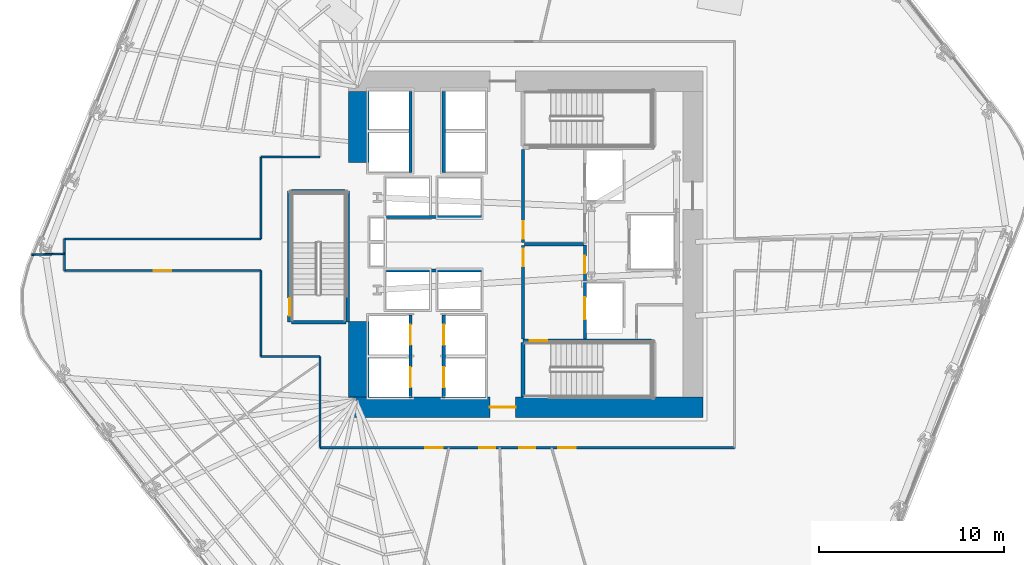
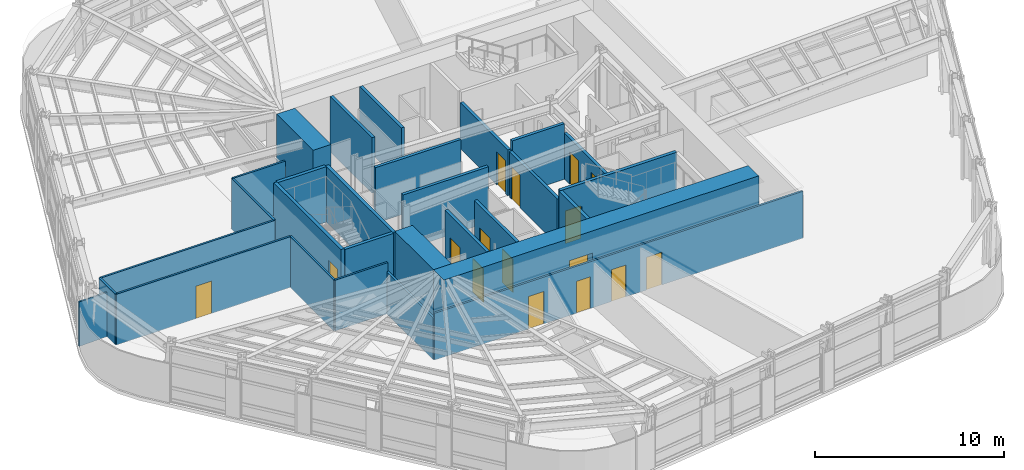
# One storey, part 8 of 16: 29 walls, 16 doors, 16 openings.
"""IFC4 building model written with IfcOpenShell, lengths in metres."""

from ifc_helpers import new_model, si_unit, direction, frame, frame_2d, origin, place, context, subcontext, project, spatial, rectangle, extrude, material, layer, layer_set, type_object, element, fill, save


model = new_model("IFC4")

# Units and contexts
model_context = context("Model", 3, precision=1e-05, world=origin(), true_north=direction((0.0, 1.0)))
body_context = subcontext(model_context, "Body", "Model", "MODEL_VIEW")
ifc_project = project(units=[si_unit("LENGTHUNIT", "METRE"), si_unit("AREAUNIT", "SQUARE_METRE"), si_unit("VOLUMEUNIT", "CUBIC_METRE"), si_unit("PLANEANGLEUNIT", "RADIAN"), si_unit("MASSUNIT", "GRAM", prefix="KILO")], contexts=[model_context])

# Site, building, storey
site_placement = place(None, origin())
site = spatial("IfcSite", under=ifc_project, at=site_placement, CompositionType="ELEMENT")
building_placement = place(site_placement, origin())
building = spatial("IfcBuilding", under=site, at=building_placement, Name="Valkerne Bourse Tower", CompositionType="ELEMENT")
storey_placement = place(building_placement, frame((0.0, 0.0, 58.199951171875)))
storey = spatial("IfcBuildingStorey", under=building, at=storey_placement, Name="L14", CompositionType="ELEMENT", Elevation=58.199951171875)

# Wall, opening, door
ifc_material_1 = material(Name="Concrete C70/85", Category="concrete")
ifc_layer_1 = layer(ifc_material_1, 1.10009765625)
ifc_layer_set_1 = layer_set([ifc_layer_1], Name="Concrete C70/85")
wall_type_1 = type_object("IfcWallType", Name="W-CORE-1100", PredefinedType="SHEAR", material=ifc_layer_set_1)
wall_1_placement = place(storey_placement, frame((37.199951171875, 18.050048828125, 0.0), z_axis=(0.0, 0.0, 1.0), x_axis=(1.0, 0.0, 0.0)))
wall_1 = element("IfcWall", 1, at=wall_1_placement, inside=storey, type_object=wall_type_1, Name="L14 Core Shear Wall SOUTH", PredefinedType="SHEAR", context=body_context, shape_type="SweptSolid", body=[
    extrude(rectangle(XDim=19.199951171875, YDim=1.10009765625, at=frame_2d((9.60009765625, 0.0))), origin(), (0.0, 0.0, 1.0), 3.580078125),
])
opening_1_placement = place(wall_1_placement, frame((7.64990234375, 0.0, 0.0)))
opening_1 = element("IfcOpeningElement", 2, at=opening_1_placement, cuts=wall_1, Name="Opening D-PL-1400", PredefinedType="OPENING", context=body_context, shape_type="SweptSolid", body=[
    extrude(rectangle(XDim=1.39990234375, YDim=2.14990234375, at=frame_2d((0.699951171875, 1.074951171875))), frame((0.0, 0.56005859375, 0.0), z_axis=(0.0, -1.0, 0.0), x_axis=(1.0, 0.0, 0.0)), (0.0, 0.0, 1.0), 1.1201171875),
])
ifc_material_2 = material(Name="Galvanised Painted Steel", Category="steel")
door_type_1 = type_object("IfcDoorType", Name="DR-PLT-1400", OperationType="DOUBLE_DOOR_SINGLE_SWING", PredefinedType="DOOR", material=ifc_material_2)
door_1_placement = place(opening_1_placement, origin())
door_1 = element("IfcDoor", 3, at=door_1_placement, inside=storey, type_object=door_type_1, Name="L14 South Passenger Lift Hall Fire Door", OperationType="DOUBLE_DOOR_SINGLE_SWING", OverallHeight=2.14990234375, OverallWidth=1.39990234375, PredefinedType="DOOR", context=body_context, shape_type="SweptSolid", body=[
    extrude(rectangle(XDim=1.39990234375, YDim=2.14990234375, at=frame_2d((0.699951171875, 1.074951171875))), frame((0.0, 0.02490234375, 0.0), z_axis=(0.0, -1.0, 0.0), x_axis=(1.0, 0.0, 0.0)), (0.0, 0.0, 1.0), 0.050048828125),
])
fill(opening_1, door_1)

# Walls
wall_2_placement = place(storey_placement, frame((37.75, 18.60009765625, 0.0), z_axis=(0.0, 0.0, 1.0), x_axis=(0.0, 1.0, 0.0)))
element("IfcWall", 4, at=wall_2_placement, inside=storey, type_object=wall_type_1, Name="L14 Core Shear Wall WEST-S", PredefinedType="SHEAR", context=body_context, shape_type="SweptSolid", body=[
    extrude(rectangle(XDim=4.099853515625, YDim=1.10009765625, at=frame_2d((2.0498046875, 0.0))), origin(), (0.0, 0.0, 1.0), 3.580078125),
])
wall_3_placement = place(storey_placement, frame((37.75, 31.300048828125, 0.0), z_axis=(0.0, 0.0, 1.0), x_axis=(0.0, 1.0, 0.0)))
element("IfcWall", 5, at=wall_3_placement, inside=storey, type_object=wall_type_1, Name="L14 Core Shear Wall WEST-N", PredefinedType="SHEAR", context=body_context, shape_type="SweptSolid", body=[
    extrude(rectangle(XDim=3.849853515625, YDim=1.10009765625, at=frame_2d((1.9248046875, 0.0))), origin(), (0.0, 0.0, 1.0), 3.580078125),
])

# Wall, openings, doors
ifc_material_3 = material(Name="Gypsum Board Steel-Stud Partition", Category="steel")
ifc_layer_2 = layer(ifc_material_3, 0.117919921875)
ifc_layer_set_2 = layer_set([ifc_layer_2], Name="Gypsum Board Steel-Stud Partition")
wall_type_2 = type_object("IfcWallType", Name="W-CORR-140", PredefinedType="PARTITIONING", material=ifc_layer_set_2)
wall_4_placement = place(storey_placement, frame((58.10009765625, 15.85009765625, 0.0), z_axis=(0.0, 0.0, 1.0), x_axis=(-1.0, 0.0, 0.0)))
wall_4 = element("IfcWall", 6, at=wall_4_placement, inside=storey, type_object=wall_type_2, Name="L14 Corridor Enclosure Wall", PredefinedType="PARTITIONING", context=body_context, shape_type="SweptSolid", body=[
    extrude(rectangle(XDim=22.4501953125, YDim=0.117919921875, at=frame_2d((11.22509765625, 0.0))), origin(), (0.0, 0.0, 1.0), 3.021484375),
])
opening_2_placement = place(wall_4_placement, frame((10.794921875, 0.0, 0.0)))
opening_2 = element("IfcOpeningElement", 7, at=opening_2_placement, cuts=wall_4, Name="Opening D-WC-900", PredefinedType="OPENING", context=body_context, shape_type="SweptSolid", body=[
    extrude(rectangle(XDim=0.860107421875, YDim=2.050048828125, at=frame_2d((0.43017578125, 1.02490234375))), frame((0.0, 0.06884765625, 0.0), z_axis=(0.0, -1.0, 0.0), x_axis=(1.0, 0.0, 0.0)), (0.0, 0.0, 1.0), 0.137939453125),
])
opening_3_placement = place(wall_4_placement, frame((12.955078125, 0.0, 0.0)))
opening_3 = element("IfcOpeningElement", 8, at=opening_3_placement, cuts=wall_4, Name="Opening D-WC-900", PredefinedType="OPENING", context=body_context, shape_type="SweptSolid", body=[
    extrude(rectangle(XDim=0.860107421875, YDim=2.050048828125, at=frame_2d((0.43017578125, 1.02490234375))), frame((0.0, 0.06884765625, 0.0), z_axis=(0.0, -1.0, 0.0), x_axis=(1.0, 0.0, 0.0)), (0.0, 0.0, 1.0), 0.137939453125),
])
opening_4_placement = place(wall_4_placement, frame((15.7900390625, 0.0, 0.0)))
opening_4 = element("IfcOpeningElement", 9, at=opening_4_placement, cuts=wall_4, Name="Opening D-OF-950", PredefinedType="OPENING", context=body_context, shape_type="SweptSolid", body=[
    extrude(rectangle(XDim=0.949951171875, YDim=2.10009765625, at=frame_2d((0.47509765625, 1.050048828125))), frame((0.0, 0.06884765625, 0.0), z_axis=(0.0, -1.0, 0.0), x_axis=(1.0, 0.0, 0.0)), (0.0, 0.0, 1.0), 0.137939453125),
])
opening_5_placement = place(wall_4_placement, frame((8.590087890625, 0.0, 0.0)))
opening_5 = element("IfcOpeningElement", 10, at=opening_5_placement, cuts=wall_4, Name="Opening D-OF-950", PredefinedType="OPENING", context=body_context, shape_type="SweptSolid", body=[
    extrude(rectangle(XDim=0.949951171875, YDim=2.10009765625, at=frame_2d((0.47509765625, 1.050048828125))), frame((0.0, 0.06884765625, 0.0), z_axis=(0.0, -1.0, 0.0), x_axis=(1.0, 0.0, 0.0)), (0.0, 0.0, 1.0), 0.137939453125),
])
ifc_material_4 = material(Name="Architectural White Oak Timber", Category="wood")
door_type_2 = type_object("IfcDoorType", Name="DR-OFF-950", OperationType="NOTDEFINED", PredefinedType="DOOR", material=ifc_material_4)
door_2_placement = place(opening_4_placement, origin())
door_2 = element("IfcDoor", 11, at=door_2_placement, inside=storey, type_object=door_type_2, Name="L14 L14 Occupational Wellness Clinic 4 Door", OperationType="SINGLE_SWING_LEFT", OverallHeight=2.10009765625, OverallWidth=0.949951171875, PredefinedType="DOOR", context=body_context, shape_type="SweptSolid", body=[
    extrude(rectangle(XDim=0.949951171875, YDim=2.10009765625, at=frame_2d((0.47509765625, 1.050048828125))), frame((0.0, 0.02490234375, 0.0), z_axis=(0.0, -1.0, 0.0), x_axis=(1.0, 0.0, 0.0)), (0.0, 0.0, 1.0), 0.050048828125),
])
fill(opening_4, door_2)
door_3_placement = place(opening_5_placement, origin())
door_3 = element("IfcDoor", 12, at=door_3_placement, inside=storey, type_object=door_type_2, Name="L14 L14 Trading Desk Office 6 Door", OperationType="SINGLE_SWING_LEFT", OverallHeight=2.10009765625, OverallWidth=0.949951171875, PredefinedType="DOOR", context=body_context, shape_type="SweptSolid", body=[
    extrude(rectangle(XDim=0.949951171875, YDim=2.10009765625, at=frame_2d((0.47509765625, 1.050048828125))), frame((0.0, 0.02490234375, 0.0), z_axis=(0.0, -1.0, 0.0), x_axis=(1.0, 0.0, 0.0)), (0.0, 0.0, 1.0), 0.050048828125),
])
fill(opening_5, door_3)
door_type_3 = type_object("IfcDoorType", Name="DR-WC-900", OperationType="NOTDEFINED", PredefinedType="DOOR", material=ifc_material_4)
door_4_placement = place(opening_2_placement, origin())
door_4 = element("IfcDoor", 13, at=door_4_placement, inside=storey, type_object=door_type_3, Name="L14 L14 Men Bathroom WC 1 Door", OperationType="SINGLE_SWING_LEFT", OverallHeight=2.050048828125, OverallWidth=0.860107421875, PredefinedType="DOOR", context=body_context, shape_type="SweptSolid", body=[
    extrude(rectangle(XDim=0.860107421875, YDim=2.050048828125, at=frame_2d((0.43017578125, 1.02490234375))), frame((0.0, 0.02490234375, 0.0), z_axis=(0.0, -1.0, 0.0), x_axis=(1.0, 0.0, 0.0)), (0.0, 0.0, 1.0), 0.050048828125),
])
fill(opening_2, door_4)
door_5_placement = place(opening_3_placement, origin())
door_5 = element("IfcDoor", 14, at=door_5_placement, inside=storey, type_object=door_type_3, Name="L14 L14 Women Restroom & Shower WC 2 Door", OperationType="SINGLE_SWING_LEFT", OverallHeight=2.050048828125, OverallWidth=0.860107421875, PredefinedType="DOOR", context=body_context, shape_type="SweptSolid", body=[
    extrude(rectangle(XDim=0.860107421875, YDim=2.050048828125, at=frame_2d((0.43017578125, 1.02490234375))), frame((0.0, 0.02490234375, 0.0), z_axis=(0.0, -1.0, 0.0), x_axis=(1.0, 0.0, 0.0)), (0.0, 0.0, 1.0), 0.050048828125),
])
fill(opening_3, door_5)

# Walls
wall_5_placement = place(storey_placement, frame((35.64990234375, 15.85009765625, 0.0), z_axis=(0.0, 0.0, 1.0), x_axis=(0.0, 1.0, 0.0)))
element("IfcWall", 15, at=wall_5_placement, inside=storey, type_object=wall_type_2, Name="L14 Corridor Enclosure Wall", PredefinedType="PARTITIONING", context=body_context, shape_type="SweptSolid", body=[
    extrude(rectangle(XDim=4.949951171875, YDim=0.117919921875, at=frame_2d((2.47509765625, 0.0))), origin(), (0.0, 0.0, 1.0), 2.711669921875),
])
wall_6_placement = place(storey_placement, frame((35.64990234375, 20.800048828125, 0.0), z_axis=(0.0, 0.0, 1.0), x_axis=(-1.0, 0.0, 0.0)))
element("IfcWall", 16, at=wall_6_placement, inside=storey, type_object=wall_type_2, Name="L14 Corridor Enclosure Wall", PredefinedType="PARTITIONING", context=body_context, shape_type="SweptSolid", body=[
    extrude(rectangle(XDim=3.199951171875, YDim=0.117919921875, at=frame_2d((1.60009765625, 0.0))), origin(), (0.0, 0.0, 1.0), 3.280029296875),
])
wall_7_placement = place(storey_placement, frame((32.449951171875, 20.800048828125, 0.0), z_axis=(0.0, 0.0, 1.0), x_axis=(0.0, 1.0, 0.0)))
element("IfcWall", 17, at=wall_7_placement, inside=storey, type_object=wall_type_2, Name="L14 Corridor Enclosure Wall", PredefinedType="PARTITIONING", context=body_context, shape_type="SweptSolid", body=[
    extrude(rectangle(XDim=4.64990234375, YDim=0.117919921875, at=frame_2d((2.324951171875, 0.0))), origin(), (0.0, 0.0, 1.0), 3.280029296875),
])

# Wall, opening, door
wall_8_placement = place(storey_placement, frame((32.449951171875, 25.449951171875, 0.0), z_axis=(0.0, 0.0, 1.0), x_axis=(-1.0, 0.0, 0.0)))
wall_8 = element("IfcWall", 18, at=wall_8_placement, inside=storey, type_object=wall_type_2, Name="L14 Corridor Enclosure Wall", PredefinedType="PARTITIONING", context=body_context, shape_type="SweptSolid", body=[
    extrude(rectangle(XDim=10.64990234375, YDim=0.117919921875, at=frame_2d((5.324951171875, 0.0))), origin(), (0.0, 0.0, 1.0), 3.280029296875),
])
opening_6_placement = place(wall_8_placement, frame((4.85009765625, 0.0, 0.0)))
opening_6 = element("IfcOpeningElement", 19, at=opening_6_placement, cuts=wall_8, Name="Opening D-OF-950", PredefinedType="OPENING", context=body_context, shape_type="SweptSolid", body=[
    extrude(rectangle(XDim=0.949951171875, YDim=2.10009765625, at=frame_2d((0.47509765625, 1.050048828125))), frame((0.0, 0.06884765625, 0.0), z_axis=(0.0, -1.0, 0.0), x_axis=(1.0, 0.0, 0.0)), (0.0, 0.0, 1.0), 0.137939453125),
])
door_6_placement = place(opening_6_placement, origin())
door_6 = element("IfcDoor", 20, at=door_6_placement, inside=storey, type_object=door_type_2, Name="L14 L14 Occupational Wellness Clinic 3 Door", OperationType="SINGLE_SWING_LEFT", OverallHeight=2.10009765625, OverallWidth=0.949951171875, PredefinedType="DOOR", context=body_context, shape_type="SweptSolid", body=[
    extrude(rectangle(XDim=0.949951171875, YDim=2.10009765625, at=frame_2d((0.47509765625, 1.050048828125))), frame((0.0, 0.02490234375, 0.0), z_axis=(0.0, -1.0, 0.0), x_axis=(1.0, 0.0, 0.0)), (0.0, 0.0, 1.0), 0.050048828125),
])
fill(opening_6, door_6)

# Walls
wall_9_placement = place(storey_placement, frame((21.800048828125, 25.449951171875, 0.0), z_axis=(0.0, 0.0, 1.0), x_axis=(0.0, 1.0, 0.0)))
element("IfcWall", 21, at=wall_9_placement, inside=storey, type_object=wall_type_2, Name="L14 Corridor Enclosure Wall", PredefinedType="PARTITIONING", context=body_context, shape_type="SweptSolid", body=[
    extrude(rectangle(XDim=1.699951171875, YDim=0.117919921875, at=frame_2d((0.85009765625, 0.0))), origin(), (0.0, 0.0, 1.0), 3.280029296875),
])
wall_10_placement = place(storey_placement, frame((21.800048828125, 27.14990234375, 0.0), z_axis=(0.0, 0.0, 1.0), x_axis=(1.0, 0.0, 0.0)))
element("IfcWall", 22, at=wall_10_placement, inside=storey, type_object=wall_type_2, Name="L14 Corridor Enclosure Wall", PredefinedType="PARTITIONING", context=body_context, shape_type="SweptSolid", body=[
    extrude(rectangle(XDim=10.64990234375, YDim=0.117919921875, at=frame_2d((5.324951171875, 0.0))), origin(), (0.0, 0.0, 1.0), 3.280029296875),
])
wall_11_placement = place(storey_placement, frame((32.449951171875, 27.14990234375, 0.0), z_axis=(0.0, 0.0, 1.0), x_axis=(0.0, 1.0, 0.0)))
element("IfcWall", 23, at=wall_11_placement, inside=storey, type_object=wall_type_2, Name="L14 Corridor Enclosure Wall", PredefinedType="PARTITIONING", context=body_context, shape_type="SweptSolid", body=[
    extrude(rectangle(XDim=4.4501953125, YDim=0.117919921875, at=frame_2d((2.22509765625, 0.0))), origin(), (0.0, 0.0, 1.0), 3.280029296875),
])
wall_12_placement = place(storey_placement, frame((32.449951171875, 31.60009765625, 0.0), z_axis=(0.0, 0.0, 1.0), x_axis=(1.0, 0.0, 0.0)))
element("IfcWall", 24, at=wall_12_placement, inside=storey, type_object=wall_type_2, Name="L14 Corridor Enclosure Wall", PredefinedType="PARTITIONING", context=body_context, shape_type="SweptSolid", body=[
    extrude(rectangle(XDim=3.199951171875, YDim=0.117919921875, at=frame_2d((1.60009765625, 0.0))), origin(), (0.0, 0.0, 1.0), 3.280029296875),
])
ifc_material_5 = material(Name="Gypsum Fire-Rated Shaftwall", Category="gypsum")
ifc_layer_3 = layer(ifc_material_5, 0.179931640625)
ifc_layer_set_3 = layer_set([ifc_layer_3], Name="Gypsum Fire-Rated Shaftwall")
wall_type_3 = type_object("IfcWallType", Name="W-FSAE-180", PredefinedType="PARTITIONING", material=ifc_layer_set_3)
wall_13_placement = place(storey_placement, frame((46.739990234375, 26.8798828125, 0.0), z_axis=(0.0, 0.0, 1.0), x_axis=(1.0, 0.0, 0.0)))
element("IfcWall", 25, at=wall_13_placement, inside=storey, type_object=wall_type_3, Name="L14 FSAE-1/2 Lobby Dividing Fire Wall", PredefinedType="PARTITIONING", context=body_context, shape_type="SweptSolid", body=[
    extrude(rectangle(XDim=3.169921875, YDim=0.179931640625, at=frame_2d((1.5849609375, 0.0))), origin(), (0.0, 0.0, 1.0), 3.580078125),
])

# Wall, opening, door
wall_14_placement = place(storey_placement, frame((46.64990234375, 21.75, 0.0), z_axis=(0.0, 0.0, 1.0), x_axis=(0.0, 1.0, 0.0)))
wall_14 = element("IfcWall", 26, at=wall_14_placement, inside=storey, type_object=wall_type_3, Name="L14 FSAE-1 Lobby West Fire Wall", PredefinedType="PARTITIONING", context=body_context, shape_type="SweptSolid", body=[
    extrude(rectangle(XDim=5.050048828125, YDim=0.179931640625, at=frame_2d((2.52490234375, 0.0))), origin(), (0.0, 0.0, 1.0), 2.9580078125),
])
opening_7_placement = place(wall_14_placement, frame((3.919921875, 0.0, 0.0)))
opening_7 = element("IfcOpeningElement", 27, at=opening_7_placement, cuts=wall_14, Name="Opening D-FS-950", PredefinedType="OPENING", context=body_context, shape_type="SweptSolid", body=[
    extrude(rectangle(XDim=0.949951171875, YDim=2.10009765625, at=frame_2d((0.47509765625, 1.050048828125))), frame((0.0, 0.099853515625, 0.0), z_axis=(0.0, -1.0, 0.0), x_axis=(1.0, 0.0, 0.0)), (0.0, 0.0, 1.0), 0.199951171875),
])
door_type_4 = type_object("IfcDoorType", Name="DR-FSAE-950", OperationType="NOTDEFINED", PredefinedType="DOOR", material=ifc_material_2)
door_7_placement = place(opening_7_placement, origin())
door_7 = element("IfcDoor", 28, at=door_7_placement, inside=storey, type_object=door_type_4, Name="L14 FSAE-1 Hall Link Fire Door", OperationType="SINGLE_SWING_RIGHT", OverallHeight=2.10009765625, OverallWidth=0.949951171875, PredefinedType="DOOR", context=body_context, shape_type="SweptSolid", body=[
    extrude(rectangle(XDim=0.949951171875, YDim=2.10009765625, at=frame_2d((0.47509765625, 1.050048828125))), frame((0.0, 0.02490234375, 0.0), z_axis=(0.0, -1.0, 0.0), x_axis=(1.0, 0.0, 0.0)), (0.0, 0.0, 1.0), 0.050048828125),
])
fill(opening_7, door_7)

wall_15_placement = place(storey_placement, frame((46.64990234375, 26.9599609375, 0.0), z_axis=(0.0, 0.0, 1.0), x_axis=(0.0, 1.0, 0.0)))
wall_15 = element("IfcWall", 29, at=wall_15_placement, inside=storey, type_object=wall_type_3, Name="L14 FSAE-2 Lobby West Fire Wall", PredefinedType="PARTITIONING", context=body_context, shape_type="SweptSolid", body=[
    extrude(rectangle(XDim=5.0400390625, YDim=0.179931640625, at=frame_2d((2.52001953125, 0.0))), origin(), (0.0, 0.0, 1.0), 2.9580078125),
])
opening_8_placement = place(wall_15_placement, frame((0.219970703125, 0.0, 0.0)))
opening_8 = element("IfcOpeningElement", 30, at=opening_8_placement, cuts=wall_15, Name="Opening D-FS-950", PredefinedType="OPENING", context=body_context, shape_type="SweptSolid", body=[
    extrude(rectangle(XDim=0.949951171875, YDim=2.10009765625, at=frame_2d((0.47509765625, 1.050048828125))), frame((0.0, 0.099853515625, 0.0), z_axis=(0.0, -1.0, 0.0), x_axis=(1.0, 0.0, 0.0)), (0.0, 0.0, 1.0), 0.199951171875),
])
door_8_placement = place(opening_8_placement, origin())
door_8 = element("IfcDoor", 31, at=door_8_placement, inside=storey, type_object=door_type_4, Name="L14 FSAE-2 Hall Link Fire Door", OperationType="SINGLE_SWING_RIGHT", OverallHeight=2.10009765625, OverallWidth=0.949951171875, PredefinedType="DOOR", context=body_context, shape_type="SweptSolid", body=[
    extrude(rectangle(XDim=0.949951171875, YDim=2.10009765625, at=frame_2d((0.47509765625, 1.050048828125))), frame((0.0, 0.02490234375, 0.0), z_axis=(0.0, -1.0, 0.0), x_axis=(1.0, 0.0, 0.0)), (0.0, 0.0, 1.0), 0.050048828125),
])
fill(opening_8, door_8)

# Wall, openings, doors
wall_16_placement = place(storey_placement, frame((50.0, 21.75, 0.0), z_axis=(0.0, 0.0, 1.0), x_axis=(0.0, 1.0, 0.0)))
wall_16 = element("IfcWall", 32, at=wall_16_placement, inside=storey, type_object=wall_type_3, Name="L14 FSAE-1 Lobby & Shaft Front Wall", PredefinedType="PARTITIONING", context=body_context, shape_type="SweptSolid", body=[
    extrude(rectangle(XDim=5.090087890625, YDim=0.179931640625, at=frame_2d((2.544921875, 0.0))), origin(), (0.0, 0.0, 1.0), 2.9580078125),
])
opening_9_placement = place(wall_16_placement, frame((1.050048828125, 0.0, 0.0)))
opening_9 = element("IfcOpeningElement", 33, at=opening_9_placement, cuts=wall_16, Name="Opening LD-1200", PredefinedType="OPENING", context=body_context, shape_type="SweptSolid", body=[
    extrude(rectangle(XDim=1.199951171875, YDim=2.14990234375, at=frame_2d((0.60009765625, 1.074951171875))), frame((0.0, 0.099853515625, 0.0), z_axis=(0.0, -1.0, 0.0), x_axis=(1.0, 0.0, 0.0)), (0.0, 0.0, 1.0), 0.199951171875),
])
opening_10_placement = place(wall_16_placement, frame((3.550048828125, 0.0, 0.0)))
opening_10 = element("IfcOpeningElement", 34, at=opening_10_placement, cuts=wall_16, Name="Opening D-FS-950", PredefinedType="OPENING", context=body_context, shape_type="SweptSolid", body=[
    extrude(rectangle(XDim=0.949951171875, YDim=2.10009765625, at=frame_2d((0.47509765625, 1.050048828125))), frame((0.0, 0.099853515625, 0.0), z_axis=(0.0, -1.0, 0.0), x_axis=(1.0, 0.0, 0.0)), (0.0, 0.0, 1.0), 0.199951171875),
])
door_9_placement = place(opening_10_placement, origin())
door_9 = element("IfcDoor", 35, at=door_9_placement, inside=storey, type_object=door_type_4, Name="L14 FSAE-1 Lobby Corridor Fire Door", OperationType="SINGLE_SWING_RIGHT", OverallHeight=2.10009765625, OverallWidth=0.949951171875, PredefinedType="DOOR", context=body_context, shape_type="SweptSolid", body=[
    extrude(rectangle(XDim=0.949951171875, YDim=2.10009765625, at=frame_2d((0.47509765625, 1.050048828125))), frame((0.0, 0.02490234375, 0.0), z_axis=(0.0, -1.0, 0.0), x_axis=(1.0, 0.0, 0.0)), (0.0, 0.0, 1.0), 0.050048828125),
])
fill(opening_10, door_9)
ifc_material_6 = material(Name="Stainless Steel AISI 316", Category="steel")
door_type_5 = type_object("IfcDoorType", Name="DR-LIFT-1200", OperationType="DOUBLE_DOOR_SLIDING", PredefinedType="DOOR", material=ifc_material_6)
door_10_placement = place(opening_9_placement, origin())
door_10 = element("IfcDoor", 36, at=door_10_placement, inside=storey, type_object=door_type_5, Name="L14 FSAE-1 Firefighting Lift Landing Door", OperationType="DOUBLE_DOOR_SLIDING", OverallHeight=2.14990234375, OverallWidth=1.199951171875, PredefinedType="DOOR", context=body_context, shape_type="SweptSolid", body=[
    extrude(rectangle(XDim=1.199951171875, YDim=2.14990234375, at=frame_2d((0.60009765625, 1.074951171875))), frame((0.0, 0.02490234375, 0.0), z_axis=(0.0, -1.0, 0.0), x_axis=(1.0, 0.0, 0.0)), (0.0, 0.0, 1.0), 0.050048828125),
])
fill(opening_9, door_10)

ifc_material_7 = material(Name="CMU Blockwork Masonry 200mm", Category="masonry")
ifc_layer_4 = layer(ifc_material_7, 0.179931640625)
ifc_layer_set_4 = layer_set([ifc_layer_4], Name="CMU Blockwork Masonry 200mm")
wall_type_4 = type_object("IfcWallType", Name="W-LFT-180", PredefinedType="SOLIDWALL", material=ifc_layer_set_4)
wall_17_placement = place(storey_placement, frame((40.550048828125, 18.6201171875, 0.0), z_axis=(0.0, 0.0, 1.0), x_axis=(0.0, 1.0, 0.0)))
wall_17 = element("IfcWall", 37, at=wall_17_placement, inside=storey, type_object=wall_type_4, Name="L14 Low-Zone West Cars Front Wall", PredefinedType="SOLIDWALL", context=body_context, shape_type="SweptSolid", body=[
    extrude(rectangle(XDim=4.429931640625, YDim=0.179931640625, at=frame_2d((2.21484375, 0.0))), origin(), (0.0, 0.0, 1.0), 3.580078125),
])
opening_11_placement = place(wall_17_placement, frame((0.5, 0.0, 0.0)))
opening_11 = element("IfcOpeningElement", 38, at=opening_11_placement, cuts=wall_17, Name="Opening LD-1100", PredefinedType="OPENING", context=body_context, shape_type="SweptSolid", body=[
    extrude(rectangle(XDim=1.10009765625, YDim=2.14990234375, at=frame_2d((0.550048828125, 1.074951171875))), frame((0.0, 0.099853515625, 0.0), z_axis=(0.0, -1.0, 0.0), x_axis=(1.0, 0.0, 0.0)), (0.0, 0.0, 1.0), 0.199951171875),
])
opening_12_placement = place(wall_17_placement, frame((2.800048828125, 0.0, 0.0)))
opening_12 = element("IfcOpeningElement", 39, at=opening_12_placement, cuts=wall_17, Name="Opening LD-1100", PredefinedType="OPENING", context=body_context, shape_type="SweptSolid", body=[
    extrude(rectangle(XDim=1.10009765625, YDim=2.14990234375, at=frame_2d((0.550048828125, 1.074951171875))), frame((0.0, 0.099853515625, 0.0), z_axis=(0.0, -1.0, 0.0), x_axis=(1.0, 0.0, 0.0)), (0.0, 0.0, 1.0), 0.199951171875),
])
door_type_6 = type_object("IfcDoorType", Name="DR-LIFT-1100", OperationType="DOUBLE_DOOR_SLIDING", PredefinedType="DOOR", material=ifc_material_6)
door_11_placement = place(opening_11_placement, origin())
door_11 = element("IfcDoor", 40, at=door_11_placement, inside=storey, type_object=door_type_6, Name="L14 Passenger Lift PL-L1 Sliding Landing Door", OperationType="DOUBLE_DOOR_SLIDING", OverallHeight=2.14990234375, OverallWidth=1.10009765625, PredefinedType="DOOR", context=body_context, shape_type="SweptSolid", body=[
    extrude(rectangle(XDim=1.10009765625, YDim=2.14990234375, at=frame_2d((0.550048828125, 1.074951171875))), frame((0.0, 0.02490234375, 0.0), z_axis=(0.0, -1.0, 0.0), x_axis=(1.0, 0.0, 0.0)), (0.0, 0.0, 1.0), 0.050048828125),
])
fill(opening_11, door_11)
door_12_placement = place(opening_12_placement, origin())
door_12 = element("IfcDoor", 41, at=door_12_placement, inside=storey, type_object=door_type_6, Name="L14 Passenger Lift PL-L2 Sliding Landing Door", OperationType="DOUBLE_DOOR_SLIDING", OverallHeight=2.14990234375, OverallWidth=1.10009765625, PredefinedType="DOOR", context=body_context, shape_type="SweptSolid", body=[
    extrude(rectangle(XDim=1.10009765625, YDim=2.14990234375, at=frame_2d((0.550048828125, 1.074951171875))), frame((0.0, 0.02490234375, 0.0), z_axis=(0.0, -1.0, 0.0), x_axis=(1.0, 0.0, 0.0)), (0.0, 0.0, 1.0), 0.050048828125),
])
fill(opening_12, door_12)

wall_18_placement = place(storey_placement, frame((42.35009765625, 18.6201171875, 0.0), z_axis=(0.0, 0.0, 1.0), x_axis=(0.0, 1.0, 0.0)))
wall_18 = element("IfcWall", 42, at=wall_18_placement, inside=storey, type_object=wall_type_4, Name="L14 Low-Zone East Cars Front Wall", PredefinedType="SOLIDWALL", context=body_context, shape_type="SweptSolid", body=[
    extrude(rectangle(XDim=4.429931640625, YDim=0.179931640625, at=frame_2d((2.21484375, 0.0))), origin(), (0.0, 0.0, 1.0), 3.580078125),
])
opening_13_placement = place(wall_18_placement, frame((0.5, 0.0, 0.0)))
opening_13 = element("IfcOpeningElement", 43, at=opening_13_placement, cuts=wall_18, Name="Opening LD-1100", PredefinedType="OPENING", context=body_context, shape_type="SweptSolid", body=[
    extrude(rectangle(XDim=1.10009765625, YDim=2.14990234375, at=frame_2d((0.550048828125, 1.074951171875))), frame((0.0, 0.099853515625, 0.0), z_axis=(0.0, -1.0, 0.0), x_axis=(1.0, 0.0, 0.0)), (0.0, 0.0, 1.0), 0.199951171875),
])
opening_14_placement = place(wall_18_placement, frame((2.800048828125, 0.0, 0.0)))
opening_14 = element("IfcOpeningElement", 44, at=opening_14_placement, cuts=wall_18, Name="Opening LD-1100", PredefinedType="OPENING", context=body_context, shape_type="SweptSolid", body=[
    extrude(rectangle(XDim=1.10009765625, YDim=2.14990234375, at=frame_2d((0.550048828125, 1.074951171875))), frame((0.0, 0.099853515625, 0.0), z_axis=(0.0, -1.0, 0.0), x_axis=(1.0, 0.0, 0.0)), (0.0, 0.0, 1.0), 0.199951171875),
])
door_13_placement = place(opening_13_placement, origin())
door_13 = element("IfcDoor", 45, at=door_13_placement, inside=storey, type_object=door_type_6, Name="L14 Passenger Lift PL-L3 Sliding Landing Door", OperationType="DOUBLE_DOOR_SLIDING", OverallHeight=2.14990234375, OverallWidth=1.10009765625, PredefinedType="DOOR", context=body_context, shape_type="SweptSolid", body=[
    extrude(rectangle(XDim=1.10009765625, YDim=2.14990234375, at=frame_2d((0.550048828125, 1.074951171875))), frame((0.0, 0.02490234375, 0.0), z_axis=(0.0, -1.0, 0.0), x_axis=(1.0, 0.0, 0.0)), (0.0, 0.0, 1.0), 0.050048828125),
])
fill(opening_13, door_13)
door_14_placement = place(opening_14_placement, origin())
door_14 = element("IfcDoor", 46, at=door_14_placement, inside=storey, type_object=door_type_6, Name="L14 Passenger Lift PL-L4 Sliding Landing Door", OperationType="DOUBLE_DOOR_SLIDING", OverallHeight=2.14990234375, OverallWidth=1.10009765625, PredefinedType="DOOR", context=body_context, shape_type="SweptSolid", body=[
    extrude(rectangle(XDim=1.10009765625, YDim=2.14990234375, at=frame_2d((0.550048828125, 1.074951171875))), frame((0.0, 0.02490234375, 0.0), z_axis=(0.0, -1.0, 0.0), x_axis=(1.0, 0.0, 0.0)), (0.0, 0.0, 1.0), 0.050048828125),
])
fill(opening_14, door_14)

# Walls
for number, where, z_axis, x_axis, name in (
    (47, (40.550048828125, 30.75, 0.0), (0.0, 0.0, 1.0), (0.0, 1.0, 0.0), "L14 Mid-Zone West Cars Front Wall"),
    (48, (42.35009765625, 30.75, 0.0), (0.0, 0.0, 1.0), (0.0, 1.0, 0.0), "L14 Mid-Zone East Cars Front Wall"),
):
    element("IfcWall", number, at=place(storey_placement, frame(where, z_axis=z_axis, x_axis=x_axis)), inside=storey, type_object=wall_type_4, Name=name, PredefinedType="SOLIDWALL", context=body_context, shape_type="SweptSolid", body=[
        extrude(rectangle(XDim=4.39990234375, YDim=0.179931640625, at=frame_2d((2.199951171875, 0.0))), origin(), (0.0, 0.0, 1.0), 3.580078125),
    ])
for number, where, z_axis, x_axis, name in (
    (49, (39.25, 25.449951171875, 0.0), (0.0, 0.0, 1.0), (1.0, 0.0, 0.0), "L14 High-Zone South Cars Front Wall"),
    (50, (39.25, 28.35009765625, 0.0), (0.0, 0.0, 1.0), (1.0, 0.0, 0.0), "L14 High-Zone North Cars Front Wall"),
):
    element("IfcWall", number, at=place(storey_placement, frame(where, z_axis=z_axis, x_axis=x_axis)), inside=storey, type_object=wall_type_4, Name=name, PredefinedType="SOLIDWALL", context=body_context, shape_type="SweptSolid", body=[
        extrude(rectangle(XDim=5.199951171875, YDim=0.179931640625, at=frame_2d((2.60009765625, 0.0))), origin(), (0.0, 0.0, 1.0), 3.580078125),
    ])
ifc_layer_5 = layer(ifc_material_3, 0.092041015625)
ifc_layer_set_5 = layer_set([ifc_layer_5], Name="Gypsum Board Steel-Stud Partition")
wall_type_5 = type_object("IfcWallType", Name="W-PART-115", PredefinedType="PARTITIONING", material=ifc_layer_set_5)
wall_19_placement = place(storey_placement, frame((21.794921875, 26.355224609375, 0.0), z_axis=(0.0, 0.0, 1.0), x_axis=(-0.999615907492, -0.027713489297, 0.0)))
element("IfcWall", 51, at=wall_19_placement, inside=storey, type_object=wall_type_5, Name="L14 Suite Partition P05", PredefinedType="PARTITIONING", context=body_context, shape_type="SweptSolid", body=[
    extrude(rectangle(XDim=1.770751953125, YDim=0.092041015625, at=frame_2d((0.88525390625, 0.0))), origin(), (0.0, 0.0, 1.0), 2.864013671875),
])

# Wall, opening, door
ifc_material_8 = material(Name="Concrete C40/50", Category="concrete")
ifc_layer_6 = layer(ifc_material_8, 0.199951171875)
ifc_layer_set_6 = layer_set([ifc_layer_6], Name="Concrete C40/50")
wall_type_6 = type_object("IfcWallType", Name="W-SHF-200", PredefinedType="SHEAR", material=ifc_layer_set_6)
wall_20_placement = place(storey_placement, frame((46.64990234375, 21.64990234375, 0.0), z_axis=(0.0, 0.0, 1.0), x_axis=(1.0, 0.0, 0.0)))
wall_20 = element("IfcWall", 52, at=wall_20_placement, inside=storey, type_object=wall_type_6, Name="L14 Exit Stair ST-1 Structural Shaft Wall North", PredefinedType="SHEAR", context=body_context, shape_type="SweptSolid", body=[
    extrude(rectangle(XDim=7.10009765625, YDim=0.199951171875, at=frame_2d((3.550048828125, 0.0))), origin(), (0.0, 0.0, 1.0), 3.580078125),
])
opening_15_placement = place(wall_20_placement, frame((0.35009765625, 0.0, 0.0)))
opening_15 = element("IfcOpeningElement", 53, at=opening_15_placement, cuts=wall_20, Name="Opening D-ST-950", PredefinedType="OPENING", context=body_context, shape_type="SweptSolid", body=[
    extrude(rectangle(XDim=0.949951171875, YDim=2.10009765625, at=frame_2d((0.47509765625, 1.050048828125))), frame((0.0, 0.10986328125, 0.0), z_axis=(0.0, -1.0, 0.0), x_axis=(1.0, 0.0, 0.0)), (0.0, 0.0, 1.0), 0.219970703125),
])
door_type_7 = type_object("IfcDoorType", Name="DR-STAIR-950", OperationType="NOTDEFINED", PredefinedType="DOOR", material=ifc_material_2)
door_15_placement = place(opening_15_placement, origin())
door_15 = element("IfcDoor", 54, at=door_15_placement, inside=storey, type_object=door_type_7, Name="L14 Exit Stair ST-1 Door", OperationType="SINGLE_SWING_RIGHT", OverallHeight=2.10009765625, OverallWidth=0.949951171875, PredefinedType="DOOR", context=body_context, shape_type="SweptSolid", body=[
    extrude(rectangle(XDim=0.949951171875, YDim=2.10009765625, at=frame_2d((0.47509765625, 1.050048828125))), frame((0.0, 0.02490234375, 0.0), z_axis=(0.0, -1.0, 0.0), x_axis=(1.0, 0.0, 0.0)), (0.0, 0.0, 1.0), 0.050048828125),
])
fill(opening_15, door_15)

# Wall
wall_21_placement = place(storey_placement, frame((46.64990234375, 18.60009765625, 0.0), z_axis=(0.0, 0.0, 1.0), x_axis=(0.0, 1.0, 0.0)))
element("IfcWall", 55, at=wall_21_placement, inside=storey, type_object=wall_type_6, Name="L14 Exit Stair ST-1 Structural Shaft Wall West", PredefinedType="SHEAR", context=body_context, shape_type="SweptSolid", body=[
    extrude(rectangle(XDim=2.949951171875, YDim=0.199951171875, at=frame_2d((1.47509765625, 0.0))), origin(), (0.0, 0.0, 1.0), 3.580078125),
])

# Wall, opening, door
wall_22_placement = place(storey_placement, frame((34.0, 22.64990234375, 0.0), z_axis=(0.0, 0.0, 1.0), x_axis=(0.0, 1.0, 0.0)))
wall_22 = element("IfcWall", 56, at=wall_22_placement, inside=storey, type_object=wall_type_6, Name="L14 Exit Stair ST-3 Structural Shaft Wall West", PredefinedType="SHEAR", context=body_context, shape_type="SweptSolid", body=[
    extrude(rectangle(XDim=7.10009765625, YDim=0.199951171875, at=frame_2d((3.550048828125, 0.0))), origin(), (0.0, 0.0, 1.0), 3.580078125),
])
opening_16_placement = place(wall_22_placement, frame((0.35009765625, 0.0, 0.0)))
opening_16 = element("IfcOpeningElement", 57, at=opening_16_placement, cuts=wall_22, Name="Opening D-ST-950", PredefinedType="OPENING", context=body_context, shape_type="SweptSolid", body=[
    extrude(rectangle(XDim=0.949951171875, YDim=2.10009765625, at=frame_2d((0.47509765625, 1.050048828125))), frame((0.0, 0.10986328125, 0.0), z_axis=(0.0, -1.0, 0.0), x_axis=(1.0, 0.0, 0.0)), (0.0, 0.0, 1.0), 0.219970703125),
])
door_16_placement = place(opening_16_placement, origin())
door_16 = element("IfcDoor", 58, at=door_16_placement, inside=storey, type_object=door_type_7, Name="L14 Exit Stair ST-3 Door", OperationType="SINGLE_SWING_RIGHT", OverallHeight=2.10009765625, OverallWidth=0.949951171875, PredefinedType="DOOR", context=body_context, shape_type="SweptSolid", body=[
    extrude(rectangle(XDim=0.949951171875, YDim=2.10009765625, at=frame_2d((0.47509765625, 1.050048828125))), frame((0.0, 0.02490234375, 0.0), z_axis=(0.0, -1.0, 0.0), x_axis=(1.0, 0.0, 0.0)), (0.0, 0.0, 1.0), 0.050048828125),
])
fill(opening_16, door_16)

# Walls
for number, where, z_axis, x_axis, name in (
    (59, (34.10009765625, 22.64990234375, 0.0), (0.0, 0.0, 1.0), (1.0, 0.0, 0.0), "L14 Exit Stair ST-3 Structural Shaft Wall South"),
    (60, (34.10009765625, 29.75, 0.0), (0.0, 0.0, 1.0), (1.0, 0.0, 0.0), "L14 Exit Stair ST-3 Structural Shaft Wall North"),
):
    element("IfcWall", number, at=place(storey_placement, frame(where, z_axis=z_axis, x_axis=x_axis)), inside=storey, type_object=wall_type_6, Name=name, PredefinedType="SHEAR", context=body_context, shape_type="SweptSolid", body=[
        extrude(rectangle(XDim=2.949951171875, YDim=0.199951171875, at=frame_2d((1.47509765625, 0.0))), origin(), (0.0, 0.0, 1.0), 3.580078125),
    ])
wall_23_placement = place(storey_placement, frame((37.14990234375, 22.64990234375, 0.0), z_axis=(0.0, 0.0, 1.0), x_axis=(0.0, 1.0, 0.0)))
element("IfcWall", 61, at=wall_23_placement, inside=storey, type_object=wall_type_6, Name="L14 Exit Stair ST-3 Structural Shaft Wall East", PredefinedType="SHEAR", context=body_context, shape_type="SweptSolid", body=[
    extrude(rectangle(XDim=7.10009765625, YDim=0.199951171875, at=frame_2d((3.550048828125, 0.0))), origin(), (0.0, 0.0, 1.0), 3.580078125),
])

save(model, "model.ifc")
